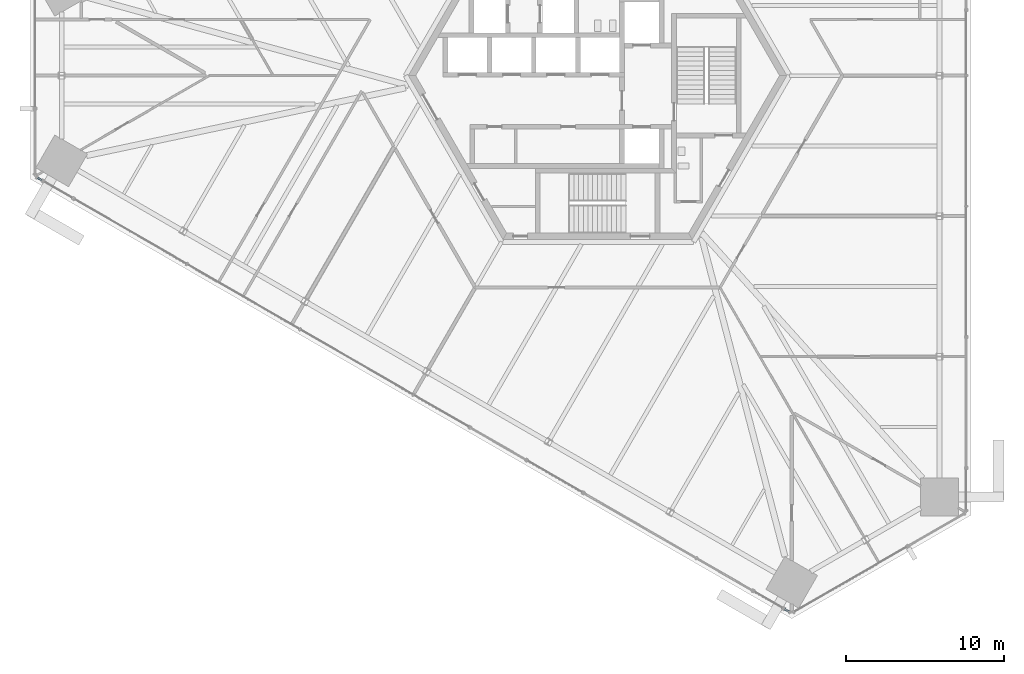
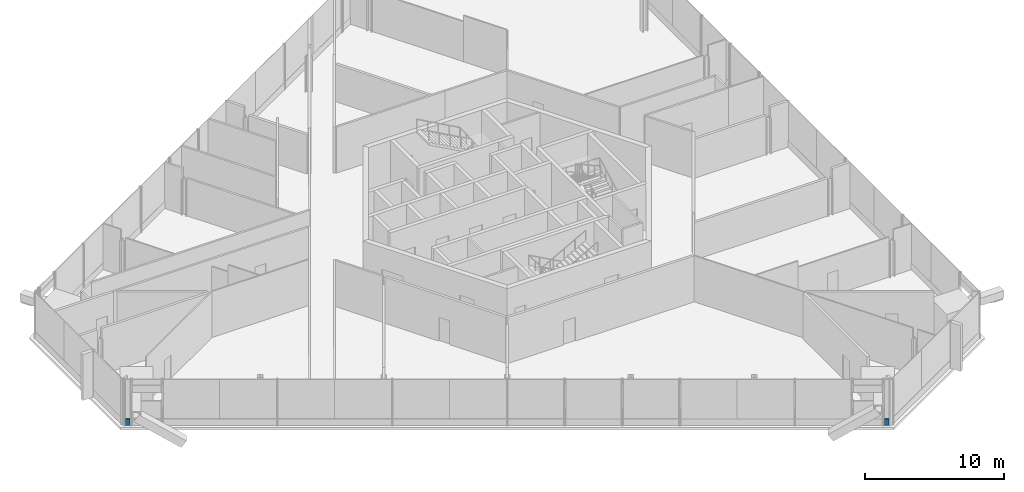
# One storey, part 9 of 22: 2 members, 2 elements without a shape of their own.
"""IFC4 building model written with IfcOpenShell, lengths in metres."""

import ifcopenshell
import ifcopenshell.guid

model = None  # the IFC model being written
_history = None  # IfcOwnerHistory: only IFC2X3 demands one
_inside = {}  # id of a spatial element -> (the spatial element, [elements in it])
_under = {}  # id of a project, library or spatial element -> (it, [spatial elements below it])
_declared = {}  # id of a project -> (the project, [libraries it declares])
_typed = {}  # id of a type object -> (the type object, [elements of that type])
_made_of = {}  # id of a material, layer set ... -> (it, [elements and type objects made of it])


def new_model(schema):
    """Start an empty IFC model of exactly this schema.

    Asked for "IFC4X3", IfcOpenShell would pick the latest addendum, in which some entities
    have other attributes; the version numbers below select the first issue.
    IFC2X3 requires an IfcOwnerHistory on every rooted entity: one is made here for all.
    """
    global model, _history
    if schema == "IFC4X3":
        model = ifcopenshell.file(schema_version=(4, 3, 0, 0))
    else:
        model = ifcopenshell.file(schema=schema)
    _inside.clear()
    _under.clear()
    _declared.clear()
    _typed.clear()
    _made_of.clear()
    _history = None
    if model.schema == "IFC2X3":
        org = make("IfcOrganization", Name="unknown")
        user = make(
            "IfcPersonAndOrganization",
            ThePerson=make("IfcPerson", FamilyName="unknown"),
            TheOrganization=org,
        )
        app = make(
            "IfcApplication",
            ApplicationDeveloper=org,
            Version="unknown",
            ApplicationFullName="unknown",
            ApplicationIdentifier="unknown",
        )
        _history = make(
            "IfcOwnerHistory",
            OwningUser=user,
            OwningApplication=app,
            ChangeAction="ADDED",
            CreationDate=0,
        )
    return model


def make(cls, **values):
    """One entity of the class cls with the attributes given. An attribute that is None is left unset."""
    return model.create_entity(
        cls, **{name: value for name, value in values.items() if value is not None}
    )


def rooted(cls, **values):
    """An entity with a GlobalId (a new one), such as an element, a storey or a relation."""
    return make(cls, GlobalId=ifcopenshell.guid.new(), OwnerHistory=_history, **values)


def si_unit(unit_type, name, prefix=None):
    """IfcSIUnit, for example si_unit("LENGTHUNIT", "METRE", prefix="MILLI")."""
    return make("IfcSIUnit", UnitType=unit_type, Prefix=prefix, Name=name)


def assignment(units):
    """IfcUnitAssignment: the units of a project."""
    return None if units is None else make("IfcUnitAssignment", Units=units)


def point(xyz):
    """IfcCartesianPoint."""
    return None if xyz is None else make("IfcCartesianPoint", Coordinates=xyz)


def direction(xyz):
    """IfcDirection."""
    return None if xyz is None else make("IfcDirection", DirectionRatios=xyz)


def frame(location, z_axis=None, x_axis=None):
    """IfcAxis2Placement3D, a coordinate frame: its origin and axes. An axis left out is left unset."""
    return make(
        "IfcAxis2Placement3D",
        Location=point(location),
        Axis=direction(z_axis),
        RefDirection=direction(x_axis),
    )


def frame_2d(location, x_axis=None):
    """IfcAxis2Placement2D, a coordinate frame in the plane: its origin and x axis."""
    return make(
        "IfcAxis2Placement2D", Location=point(location), RefDirection=direction(x_axis)
    )


def origin():
    """The frame at (0, 0, 0) with its axes left unset."""
    return frame((0.0, 0.0, 0.0))


def origin_2d():
    """The frame at (0, 0) in the plane with its x axis left unset."""
    return frame_2d((0.0, 0.0))


def place(relative_to, where):
    """IfcLocalPlacement: puts the frame where relative to a parent placement (None: the world)."""
    return make(
        "IfcLocalPlacement", PlacementRelTo=relative_to, RelativePlacement=where
    )


def context(
    kind, dimensions, precision=None, world=None, true_north=None, identifier=None
):
    """IfcGeometricRepresentationContext, for example the 3D "Model" context."""
    return make(
        "IfcGeometricRepresentationContext",
        ContextIdentifier=identifier,
        ContextType=kind,
        CoordinateSpaceDimension=dimensions,
        Precision=precision,
        WorldCoordinateSystem=world,
        TrueNorth=true_north,
    )


def subcontext(parent, identifier, kind, view, scale=None):
    """IfcGeometricRepresentationSubContext, for example "Body" below "Model"."""
    return make(
        "IfcGeometricRepresentationSubContext",
        ContextIdentifier=identifier,
        ContextType=kind,
        ParentContext=parent,
        TargetScale=scale,
        TargetView=view,
    )


def project(units=None, contexts=None):
    """IfcProject with its units and contexts."""
    return rooted(
        "IfcProject",
        Name="project",
        RepresentationContexts=contexts,
        UnitsInContext=assignment(units),
    )


def spatial(cls, under=None, at=None, **own):
    """A site, building, storey or space (cls), placed at a placement, below another one or the project."""
    s = rooted(cls, ObjectPlacement=at, **own)
    if under is not None:
        _under.setdefault(under.id(), (under, []))[1].append(s)
    return s


def profile(cls, at=None, kind="AREA", **sizes):
    """A parametric profile (cls). Its sizes go by their IFC names, for example OverallWidth=200.0."""
    return make(cls, ProfileType=kind, Position=at, **sizes)


def rectangle(**sizes):
    """IfcRectangleProfileDef."""
    return profile("IfcRectangleProfileDef", **sizes)


def extrude(swept, where, along, depth):
    """IfcExtrudedAreaSolid: the profile swept, set in the frame where, extruded along a direction by depth."""
    return make(
        "IfcExtrudedAreaSolid",
        SweptArea=swept,
        Position=where,
        ExtrudedDirection=direction(along),
        Depth=depth,
    )


def shape(context_of_items, identifier, shape_type, items):
    """IfcShapeRepresentation: the items that make up one representation, for example the "Body"."""
    return make(
        "IfcShapeRepresentation",
        ContextOfItems=context_of_items,
        RepresentationIdentifier=identifier,
        RepresentationType=shape_type,
        Items=items,
    )


def source(mapping_origin, context_of_items, identifier, shape_type, items):
    """IfcRepresentationMap: a shape defined once, which mapped items show again and again."""
    return make(
        "IfcRepresentationMap",
        MappingOrigin=mapping_origin,
        MappedRepresentation=shape(context_of_items, identifier, shape_type, items),
    )


def transform(
    local_origin,
    x_axis=None,
    y_axis=None,
    z_axis=None,
    scale=None,
    scale2=None,
    scale3=None,
    uniform=True,
):
    """IfcCartesianTransformationOperator3D, or its non-uniform kind. x_axis, y_axis, z_axis: its Axis1, 2, 3."""
    if uniform:
        return make(
            "IfcCartesianTransformationOperator3D",
            Axis1=direction(x_axis),
            Axis2=direction(y_axis),
            LocalOrigin=point(local_origin),
            Scale=scale,
            Axis3=direction(z_axis),
        )
    return make(
        "IfcCartesianTransformationOperator3DnonUniform",
        Axis1=direction(x_axis),
        Axis2=direction(y_axis),
        LocalOrigin=point(local_origin),
        Scale=scale,
        Axis3=direction(z_axis),
        Scale2=scale2,
        Scale3=scale3,
    )


def mapped(mapping_source, mapping_target):
    """IfcMappedItem: shows the shape of a source again, moved by a transform."""
    return make(
        "IfcMappedItem", MappingSource=mapping_source, MappingTarget=mapping_target
    )


def material(Name=None, Category=None):
    """IfcMaterial."""
    return make("IfcMaterial", Name=Name, Category=Category)


def material_profile(
    of_material, cross_section, Name=None, Category=None, Priority=None
):
    """IfcMaterialProfile: a cross section and its material."""
    return make(
        "IfcMaterialProfile",
        Name=Name,
        Material=of_material,
        Profile=cross_section,
        Priority=Priority,
        Category=Category,
    )


def profile_set(profiles, Name=None, composite=None):
    """IfcMaterialProfileSet."""
    return make(
        "IfcMaterialProfileSet",
        Name=Name,
        MaterialProfiles=profiles,
        CompositeProfile=composite,
    )


def made_of(thing, what):
    """Note that an element or type object is made of a material, layer set ...; save() writes the relation."""
    if what is not None:
        _made_of.setdefault(what.id(), (what, []))[1].append(thing)
    return thing


def type_object(cls, material=None, **own):
    """A type object (cls), such as IfcWallType, which elements share."""
    return made_of(rooted(cls, **own), material)


def element(
    cls,
    number,
    at=None,
    inside=None,
    cuts=None,
    type_object=None,
    material=None,
    context=None,
    identifier="Body",
    shape_type=None,
    held_by="IfcProductDefinitionShape",
    body=None,
    shapes=None,
    **own,
):
    """One element of the class cls, such as IfcWall. Its Tag is "e" and its number.

    at: its placement. inside: the storey or other place that contains it. cuts: it is an
    opening in that element (IfcRelVoidsElement). A single representation is given by context,
    identifier, shape_type and body (its items); several are given by shapes. held_by: the class
    of the entity that holds the representations. save() writes the other relations.
    """
    e = rooted(cls, Tag="e%d" % number, ObjectPlacement=at, **own)
    if body is not None:
        shapes = [shape(context, identifier, shape_type, body)]
    if shapes is not None:
        e.Representation = make(held_by, Representations=shapes)
    if inside is not None:
        _inside.setdefault(inside.id(), (inside, []))[1].append(e)
    if cuts is not None:
        rooted(
            "IfcRelVoidsElement", RelatingBuildingElement=cuts, RelatedOpeningElement=e
        )
    if type_object is not None:
        _typed.setdefault(type_object.id(), (type_object, []))[1].append(e)
    return made_of(e, material)


def aggregate(whole, parts):
    """IfcRelAggregates: a whole, such as a stair, and the parts it consists of."""
    return rooted("IfcRelAggregates", RelatingObject=whole, RelatedObjects=parts)


def save(model, path):
    """Write the relations noted so far, then the file.

    IfcRelAggregates (storeys below a building ...), IfcRelContainedInSpatialStructure (elements
    in a storey), IfcRelDefinesByType, IfcRelAssociatesMaterial and IfcRelDeclares: one each for
    every whole, place, type object, material and project.
    """
    for whole, parts in _under.values():
        aggregate(whole, parts)
    for where, things in _inside.values():
        rooted(
            "IfcRelContainedInSpatialStructure",
            RelatedElements=things,
            RelatingStructure=where,
        )
    for kind, things in _typed.values():
        rooted("IfcRelDefinesByType", RelatedObjects=things, RelatingType=kind)
    for what, things in _made_of.values():
        rooted("IfcRelAssociatesMaterial", RelatedObjects=things, RelatingMaterial=what)
    for by, libraries in _declared.values():
        rooted("IfcRelDeclares", RelatingContext=by, RelatedDefinitions=libraries)
    model.write(path)


model = new_model("IFC4")

# Units and contexts
model_context = context("Model", 3, precision=1e-05, world=origin(), true_north=direction((0.0, 1.0)))
body_context = subcontext(model_context, "Body", "Model", "MODEL_VIEW")
ifc_project = project(units=[si_unit("LENGTHUNIT", "METRE"), si_unit("AREAUNIT", "SQUARE_METRE"), si_unit("VOLUMEUNIT", "CUBIC_METRE"), si_unit("PLANEANGLEUNIT", "RADIAN"), si_unit("MASSUNIT", "GRAM", prefix="KILO")], contexts=[model_context])

# Site, building, storey
site_placement = place(None, origin())
site = spatial("IfcSite", under=ifc_project, at=site_placement, CompositionType="ELEMENT")
building_placement = place(site_placement, origin())
building = spatial("IfcBuilding", under=site, at=building_placement, Name="Triune Harvest Tower", CompositionType="ELEMENT")
storey_placement = place(building_placement, frame((0.0, 0.0, 50.39990234375)))
storey = spatial("IfcBuildingStorey", under=building, at=storey_placement, Name="L11", CompositionType="ELEMENT", Elevation=50.39990234375)

# Curtain wall, member
ifc_material_1 = material(Name="Aluminium bronze anodised", Category="aluminium")
curtain_wall_type = type_object("IfcCurtainWallType", Name="CW-3 Farm floor curtain wall", PredefinedType="NOTDEFINED", material=ifc_material_1)
curtain_wall_1_placement = place(storey_placement, origin())
curtain_wall_1 = element("IfcCurtainWall", 1, at=curtain_wall_1_placement, inside=storey, type_object=curtain_wall_type, Name="CW-3 B1-F5 L11 run 1")
ifc_material_2 = material(Name="Aluminium bronze anodised", Category="aluminium")
ifc_material_profile = material_profile(ifc_material_2, rectangle(XDim=0.090087890625, YDim=0.60009765625, at=origin_2d()), Name="TR-3 transom 90 x 600")
ifc_profile_set = profile_set([ifc_material_profile], Name="Aluminium bronze anodised")
member_type = type_object("IfcMemberType", Name="TR-3 transom 90 x 600", PredefinedType="USERDEFINED", material=ifc_profile_set)
shared_shape = source(origin(), body_context, "Body", "SweptSolid", [
    extrude(rectangle(XDim=0.090087890625, YDim=0.60009765625, at=origin_2d()), origin(), (0.0, 0.0, 1.0), 0.341796875),
])
member_1_placement = place(storey_placement, frame((-35.533203125, -6.4716796875, 0.300048828125), z_axis=(0.86563810408, -0.500670223565, 0.0), x_axis=(0.500670223565, 0.86563810408, 0.0)))
member_1 = element("IfcMember", 2, at=member_1_placement, type_object=member_type, Name="CW-3 transom B1-F5 1.1", ObjectType="TRANSOM", PredefinedType="USERDEFINED", context=body_context, shape_type="MappedRepresentation", body=[
    mapped(shared_shape, transform((0.0, 0.0, 0.0), scale=1.0)),
])
aggregate(curtain_wall_1, [member_1])

curtain_wall_2_placement = place(storey_placement, origin())
curtain_wall_2 = element("IfcCurtainWall", 3, at=curtain_wall_2_placement, inside=storey, type_object=curtain_wall_type, Name="CW-3 B1-F5 L11 run 601")
member_2_placement = place(storey_placement, frame((11.865966796875, -33.837646484375, 0.300048828125), z_axis=(0.865947592822, -0.500134748329, 0.0), x_axis=(0.500134748329, 0.865947592822, 0.0)))
member_2 = element("IfcMember", 4, at=member_2_placement, type_object=member_type, Name="CW-3 transom B1-F5 601.1", ObjectType="TRANSOM", PredefinedType="USERDEFINED", context=body_context, shape_type="MappedRepresentation", body=[
    mapped(shared_shape, transform((0.0, 0.0, 0.0), scale=1.0)),
])
aggregate(curtain_wall_2, [member_2])

save(model, "model.ifc")
